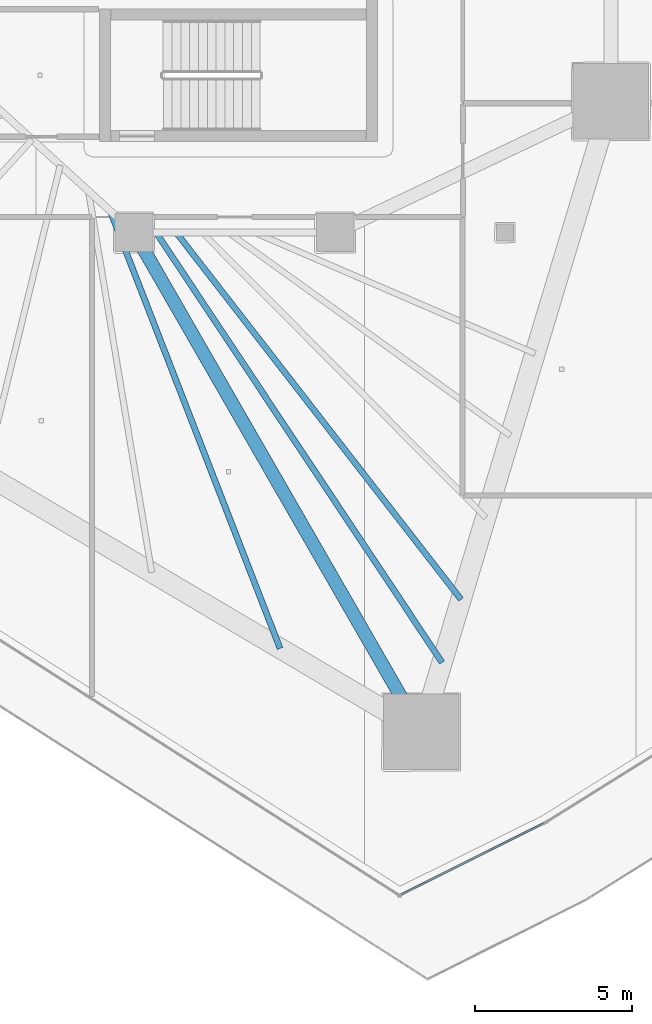
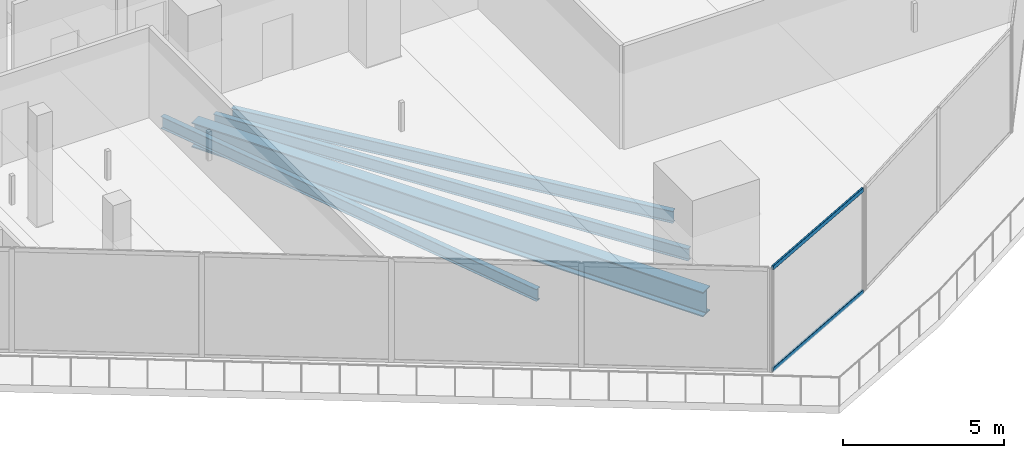
# One storey, part 9 of 45: 4 beams, 2 members, 1 element without a shape of its own.
"""IFC4 building model written with IfcOpenShell, lengths in metres."""

from ifc_helpers import new_model, si_unit, direction, frame, origin, origin_2d, place, context, subcontext, project, spatial, hollow_rectangle, i_section, extrude, material, layer, layer_set, material_profile, profile_set, type_object, element, aggregate, save


model = new_model("IFC4")

# Units and contexts
model_context = context("Model", 3, precision=1e-05, world=origin(), true_north=direction((0.0, 1.0)))
body_context = subcontext(model_context, "Body", "Model", "MODEL_VIEW")
ifc_project = project(units=[si_unit("LENGTHUNIT", "METRE"), si_unit("AREAUNIT", "SQUARE_METRE"), si_unit("VOLUMEUNIT", "CUBIC_METRE"), si_unit("PLANEANGLEUNIT", "RADIAN"), si_unit("MASSUNIT", "GRAM", prefix="KILO")], contexts=[model_context])

# Site, building, storey
site_placement = place(None, origin())
site = spatial("IfcSite", under=ifc_project, at=site_placement, CompositionType="ELEMENT")
building_placement = place(site_placement, origin())
building = spatial("IfcBuilding", under=site, at=building_placement, Name="Qorvath Tower", CompositionType="ELEMENT")
storey_placement = place(building_placement, frame((0.0, 0.0, 66.0)))
storey = spatial("IfcBuildingStorey", under=building, at=storey_placement, Name="L14", CompositionType="ELEMENT", Elevation=66.0)

# Beams
ifc_material_1 = material(Name="Steel ASTM A992 Grade 50", Category="steel")
ifc_material_profile_1 = material_profile(ifc_material_1, i_section(OverallWidth=0.422119140625, OverallDepth=0.93310546875, WebThickness=0.021240234375, FlangeThickness=0.039794921875, FilletRadius=0.02392578125, at=origin_2d()), Name="W36x262")
ifc_profile_set_1 = profile_set([ifc_material_profile_1], Name="Steel ASTM A992 Grade 50")
beam_type_1 = type_object("IfcBeamType", Name="BM-FG1", PredefinedType="BEAM", material=ifc_profile_set_1)
beam_1_placement = place(storey_placement, frame((-23.60009765625, -11.449951171875, -0.74658203125), z_axis=(0.498645367714, -0.866806089767, 0.0), x_axis=(0.866806089767, 0.498645367714, 0.0)))
element("IfcBeam", 1, at=beam_1_placement, inside=storey, type_object=beam_type_1, Name="Radial Floor Girder CC4-MC3 L14", PredefinedType="BEAM", context=body_context, shape_type="SweptSolid", body=[
    extrude(i_section(OverallWidth=0.422119140625, OverallDepth=0.93310546875, WebThickness=0.021240234375, FlangeThickness=0.039794921875, FilletRadius=0.02392578125, at=origin_2d()), origin(), (0.0, 0.0, 1.0), 18.321044921875),
])
ifc_material_2 = material(Name="Steel ASTM A992 Grade 50", Category="steel")
ifc_material_profile_2 = material_profile(ifc_material_2, i_section(OverallWidth=0.18994140625, OverallDepth=0.45703125, WebThickness=0.009033203125, FlangeThickness=0.014404296875, FilletRadius=0.011962890625, at=origin_2d()), Name="W18x50")
ifc_profile_set_2 = profile_set([ifc_material_profile_2], Name="Steel ASTM A992 Grade 50")
beam_type_2 = type_object("IfcBeamType", Name="BM-FJ2", PredefinedType="JOIST", material=ifc_profile_set_2)
beam_2_placement = place(storey_placement, frame((-22.256103515625, -11.449951171875, -0.508544921875), z_axis=(0.613206963859, -0.789922286984, 0.0), x_axis=(0.789922286984, 0.613206963859, 0.0)))
element("IfcBeam", 2, at=beam_2_placement, inside=storey, type_object=beam_type_2, Name="Composite Floor Joist SE6 L14", PredefinedType="JOIST", context=body_context, shape_type="SweptSolid", body=[
    extrude(i_section(OverallWidth=0.18994140625, OverallDepth=0.45703125, WebThickness=0.009033203125, FlangeThickness=0.014404296875, FilletRadius=0.011962890625, at=origin_2d()), origin(), (0.0, 0.0, 1.0), 14.77294921875),
])
beam_3_placement = place(storey_placement, frame((-22.89599609375, -11.449951171875, -0.508544921875), z_axis=(0.553811384989, -0.83264214994, 0.0), x_axis=(0.83264214994, 0.553811384989, 0.0)))
element("IfcBeam", 3, at=beam_3_placement, inside=storey, type_object=beam_type_2, Name="Composite Floor Joist SE7 L14", PredefinedType="JOIST", context=body_context, shape_type="SweptSolid", body=[
    extrude(i_section(OverallWidth=0.18994140625, OverallDepth=0.45703125, WebThickness=0.009033203125, FlangeThickness=0.014404296875, FilletRadius=0.011962890625, at=origin_2d()), origin(), (0.0, 0.0, 1.0), 16.42333984375),
])
beam_4_placement = place(storey_placement, frame((-24.35888671875, -10.757080078125, -0.508544921875), z_axis=(0.361964096586, -0.93219203643, 0.0), x_axis=(0.93219203643, 0.361964096586, 0.0)))
element("IfcBeam", 4, at=beam_4_placement, inside=storey, type_object=beam_type_2, Name="Composite Floor Joist SW7 L14", PredefinedType="JOIST", context=body_context, shape_type="SweptSolid", body=[
    extrude(i_section(OverallWidth=0.18994140625, OverallDepth=0.45703125, WebThickness=0.009033203125, FlangeThickness=0.014404296875, FilletRadius=0.011962890625, at=origin_2d()), origin(), (0.0, 0.0, 1.0), 14.93115234375),
])

# Curtain wall, members
ifc_material_3 = material(Name="Anodised aluminium and triple low-E glass", Category="aluminium")
ifc_layer = layer(ifc_material_3, 0.179931640625)
ifc_layer_set = layer_set([ifc_layer], Name="CW-SYS-2")
curtain_wall_type = type_object("IfcCurtainWallType", Name="CW-SYS-2", PredefinedType="NOTDEFINED", material=ifc_layer_set)
curtain_wall_placement = place(storey_placement, origin())
curtain_wall = element("IfcCurtainWall", 5, at=curtain_wall_placement, inside=storey, type_object=curtain_wall_type, Name="Curtain Wall CW-2 CW-T-L14-3.1", PredefinedType="NOTDEFINED")
ifc_material_4 = material(Name="Anodised aluminium 6063-T6", Category="aluminium")
ifc_material_profile_3 = material_profile(ifc_material_4, hollow_rectangle(XDim=0.06494140625, YDim=0.159912109375, WallThickness=0.00341796875, InnerFilletRadius=0.00341796875, OuterFilletRadius=0.007080078125, at=origin_2d()), Name="CWT 160x65")
ifc_profile_set_3 = profile_set([ifc_material_profile_3], Name="Anodised aluminium 6063-T6")
member_type = type_object("IfcMemberType", Name="CWT-160", PredefinedType="USERDEFINED", material=ifc_profile_set_3)
member_1_placement = place(storey_placement, frame((-15.096923828125, -32.506103515625, 0.032470703125), z_axis=(0.894427191, 0.4472135955, 0.0), x_axis=(-0.4472135955, 0.894427191, 0.0)))
member_1 = element("IfcMember", 6, at=member_1_placement, type_object=member_type, Name="CW-2 transom 1.1", ObjectType="TRANSOM", PredefinedType="USERDEFINED", context=body_context, shape_type="SweptSolid", body=[
    extrude(hollow_rectangle(XDim=0.06494140625, YDim=0.159912109375, WallThickness=0.00341796875, InnerFilletRadius=0.00341796875, OuterFilletRadius=0.007080078125, at=origin_2d()), origin(), (0.0, 0.0, 1.0), 5.066650390625),
])
member_2_placement = place(storey_placement, frame((-15.096923828125, -32.506103515625, 3.887451171875), z_axis=(0.894427191, 0.4472135955, 0.0), x_axis=(-0.4472135955, 0.894427191, 0.0)))
member_2 = element("IfcMember", 7, at=member_2_placement, type_object=member_type, Name="CW-2 transom 1.2", ObjectType="TRANSOM", PredefinedType="USERDEFINED", context=body_context, shape_type="SweptSolid", body=[
    extrude(hollow_rectangle(XDim=0.06494140625, YDim=0.159912109375, WallThickness=0.00341796875, InnerFilletRadius=0.00341796875, OuterFilletRadius=0.007080078125, at=origin_2d()), origin(), (0.0, 0.0, 1.0), 5.066650390625),
])
aggregate(curtain_wall, [member_1, member_2])

save(model, "model.ifc")
